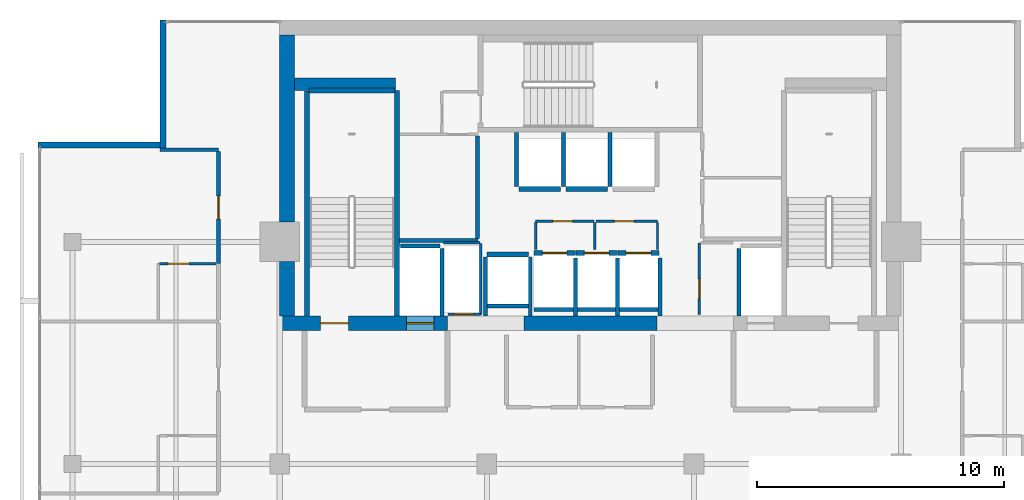
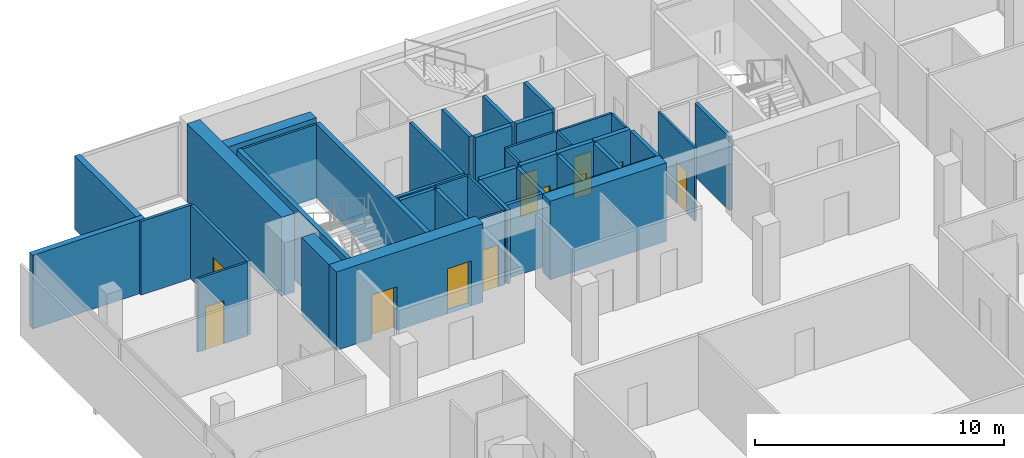
# One storey, part 22 of 26: 43 walls, 11 doors, 11 openings.
"""IFC4 building model written with IfcOpenShell, lengths in metres."""

import ifcopenshell
import ifcopenshell.guid

model = None  # the IFC model being written
_history = None  # IfcOwnerHistory: only IFC2X3 demands one
_inside = {}  # id of a spatial element -> (the spatial element, [elements in it])
_under = {}  # id of a project, library or spatial element -> (it, [spatial elements below it])
_declared = {}  # id of a project -> (the project, [libraries it declares])
_typed = {}  # id of a type object -> (the type object, [elements of that type])
_made_of = {}  # id of a material, layer set ... -> (it, [elements and type objects made of it])


def new_model(schema):
    """Start an empty IFC model of exactly this schema.

    Asked for "IFC4X3", IfcOpenShell would pick the latest addendum, in which some entities
    have other attributes; the version numbers below select the first issue.
    IFC2X3 requires an IfcOwnerHistory on every rooted entity: one is made here for all.
    """
    global model, _history
    if schema == "IFC4X3":
        model = ifcopenshell.file(schema_version=(4, 3, 0, 0))
    else:
        model = ifcopenshell.file(schema=schema)
    _inside.clear()
    _under.clear()
    _declared.clear()
    _typed.clear()
    _made_of.clear()
    _history = None
    if model.schema == "IFC2X3":
        org = make("IfcOrganization", Name="unknown")
        user = make(
            "IfcPersonAndOrganization",
            ThePerson=make("IfcPerson", FamilyName="unknown"),
            TheOrganization=org,
        )
        app = make(
            "IfcApplication",
            ApplicationDeveloper=org,
            Version="unknown",
            ApplicationFullName="unknown",
            ApplicationIdentifier="unknown",
        )
        _history = make(
            "IfcOwnerHistory",
            OwningUser=user,
            OwningApplication=app,
            ChangeAction="ADDED",
            CreationDate=0,
        )
    return model


def make(cls, **values):
    """One entity of the class cls with the attributes given. An attribute that is None is left unset."""
    return model.create_entity(
        cls, **{name: value for name, value in values.items() if value is not None}
    )


def rooted(cls, **values):
    """An entity with a GlobalId (a new one), such as an element, a storey or a relation."""
    return make(cls, GlobalId=ifcopenshell.guid.new(), OwnerHistory=_history, **values)


def si_unit(unit_type, name, prefix=None):
    """IfcSIUnit, for example si_unit("LENGTHUNIT", "METRE", prefix="MILLI")."""
    return make("IfcSIUnit", UnitType=unit_type, Prefix=prefix, Name=name)


def assignment(units):
    """IfcUnitAssignment: the units of a project."""
    return None if units is None else make("IfcUnitAssignment", Units=units)


def point(xyz):
    """IfcCartesianPoint."""
    return None if xyz is None else make("IfcCartesianPoint", Coordinates=xyz)


def direction(xyz):
    """IfcDirection."""
    return None if xyz is None else make("IfcDirection", DirectionRatios=xyz)


def frame(location, z_axis=None, x_axis=None):
    """IfcAxis2Placement3D, a coordinate frame: its origin and axes. An axis left out is left unset."""
    return make(
        "IfcAxis2Placement3D",
        Location=point(location),
        Axis=direction(z_axis),
        RefDirection=direction(x_axis),
    )


def frame_2d(location, x_axis=None):
    """IfcAxis2Placement2D, a coordinate frame in the plane: its origin and x axis."""
    return make(
        "IfcAxis2Placement2D", Location=point(location), RefDirection=direction(x_axis)
    )


def origin():
    """The frame at (0, 0, 0) with its axes left unset."""
    return frame((0.0, 0.0, 0.0))


def place(relative_to, where):
    """IfcLocalPlacement: puts the frame where relative to a parent placement (None: the world)."""
    return make(
        "IfcLocalPlacement", PlacementRelTo=relative_to, RelativePlacement=where
    )


def context(
    kind, dimensions, precision=None, world=None, true_north=None, identifier=None
):
    """IfcGeometricRepresentationContext, for example the 3D "Model" context."""
    return make(
        "IfcGeometricRepresentationContext",
        ContextIdentifier=identifier,
        ContextType=kind,
        CoordinateSpaceDimension=dimensions,
        Precision=precision,
        WorldCoordinateSystem=world,
        TrueNorth=true_north,
    )


def subcontext(parent, identifier, kind, view, scale=None):
    """IfcGeometricRepresentationSubContext, for example "Body" below "Model"."""
    return make(
        "IfcGeometricRepresentationSubContext",
        ContextIdentifier=identifier,
        ContextType=kind,
        ParentContext=parent,
        TargetScale=scale,
        TargetView=view,
    )


def project(units=None, contexts=None):
    """IfcProject with its units and contexts."""
    return rooted(
        "IfcProject",
        Name="project",
        RepresentationContexts=contexts,
        UnitsInContext=assignment(units),
    )


def spatial(cls, under=None, at=None, **own):
    """A site, building, storey or space (cls), placed at a placement, below another one or the project."""
    s = rooted(cls, ObjectPlacement=at, **own)
    if under is not None:
        _under.setdefault(under.id(), (under, []))[1].append(s)
    return s


def profile(cls, at=None, kind="AREA", **sizes):
    """A parametric profile (cls). Its sizes go by their IFC names, for example OverallWidth=200.0."""
    return make(cls, ProfileType=kind, Position=at, **sizes)


def rectangle(**sizes):
    """IfcRectangleProfileDef."""
    return profile("IfcRectangleProfileDef", **sizes)


def extrude(swept, where, along, depth):
    """IfcExtrudedAreaSolid: the profile swept, set in the frame where, extruded along a direction by depth."""
    return make(
        "IfcExtrudedAreaSolid",
        SweptArea=swept,
        Position=where,
        ExtrudedDirection=direction(along),
        Depth=depth,
    )


def shape(context_of_items, identifier, shape_type, items):
    """IfcShapeRepresentation: the items that make up one representation, for example the "Body"."""
    return make(
        "IfcShapeRepresentation",
        ContextOfItems=context_of_items,
        RepresentationIdentifier=identifier,
        RepresentationType=shape_type,
        Items=items,
    )


def material(Name=None, Category=None):
    """IfcMaterial."""
    return make("IfcMaterial", Name=Name, Category=Category)


def layer(
    of_material, thickness, ventilated=None, Name=None, Category=None, Priority=None
):
    """IfcMaterialLayer: one layer of a wall or slab, of a material (None: an air gap)."""
    return make(
        "IfcMaterialLayer",
        Material=of_material,
        LayerThickness=thickness,
        IsVentilated=ventilated,
        Name=Name,
        Category=Category,
        Priority=Priority,
    )


def layer_set(layers, Name=None):
    """IfcMaterialLayerSet."""
    return make("IfcMaterialLayerSet", MaterialLayers=layers, LayerSetName=Name)


def made_of(thing, what):
    """Note that an element or type object is made of a material, layer set ...; save() writes the relation."""
    if what is not None:
        _made_of.setdefault(what.id(), (what, []))[1].append(thing)
    return thing


def type_object(cls, material=None, **own):
    """A type object (cls), such as IfcWallType, which elements share."""
    return made_of(rooted(cls, **own), material)


def element(
    cls,
    number,
    at=None,
    inside=None,
    cuts=None,
    type_object=None,
    material=None,
    context=None,
    identifier="Body",
    shape_type=None,
    held_by="IfcProductDefinitionShape",
    body=None,
    shapes=None,
    **own,
):
    """One element of the class cls, such as IfcWall. Its Tag is "e" and its number.

    at: its placement. inside: the storey or other place that contains it. cuts: it is an
    opening in that element (IfcRelVoidsElement). A single representation is given by context,
    identifier, shape_type and body (its items); several are given by shapes. held_by: the class
    of the entity that holds the representations. save() writes the other relations.
    """
    e = rooted(cls, Tag="e%d" % number, ObjectPlacement=at, **own)
    if body is not None:
        shapes = [shape(context, identifier, shape_type, body)]
    if shapes is not None:
        e.Representation = make(held_by, Representations=shapes)
    if inside is not None:
        _inside.setdefault(inside.id(), (inside, []))[1].append(e)
    if cuts is not None:
        rooted(
            "IfcRelVoidsElement", RelatingBuildingElement=cuts, RelatedOpeningElement=e
        )
    if type_object is not None:
        _typed.setdefault(type_object.id(), (type_object, []))[1].append(e)
    return made_of(e, material)


def fill(opening, filler):
    """IfcRelFillsElement: the door or window that sits in an opening."""
    return rooted(
        "IfcRelFillsElement",
        RelatingOpeningElement=opening,
        RelatedBuildingElement=filler,
    )


def aggregate(whole, parts):
    """IfcRelAggregates: a whole, such as a stair, and the parts it consists of."""
    return rooted("IfcRelAggregates", RelatingObject=whole, RelatedObjects=parts)


def save(model, path):
    """Write the relations noted so far, then the file.

    IfcRelAggregates (storeys below a building ...), IfcRelContainedInSpatialStructure (elements
    in a storey), IfcRelDefinesByType, IfcRelAssociatesMaterial and IfcRelDeclares: one each for
    every whole, place, type object, material and project.
    """
    for whole, parts in _under.values():
        aggregate(whole, parts)
    for where, things in _inside.values():
        rooted(
            "IfcRelContainedInSpatialStructure",
            RelatedElements=things,
            RelatingStructure=where,
        )
    for kind, things in _typed.values():
        rooted("IfcRelDefinesByType", RelatedObjects=things, RelatingType=kind)
    for what, things in _made_of.values():
        rooted("IfcRelAssociatesMaterial", RelatedObjects=things, RelatingMaterial=what)
    for by, libraries in _declared.values():
        rooted("IfcRelDeclares", RelatingContext=by, RelatedDefinitions=libraries)
    model.write(path)


model = new_model("IFC4")

# Units and contexts
model_context = context("Model", 3, precision=1e-05, world=origin(), true_north=direction((0.0, 1.0)))
body_context = subcontext(model_context, "Body", "Model", "MODEL_VIEW")
ifc_project = project(units=[si_unit("LENGTHUNIT", "METRE"), si_unit("AREAUNIT", "SQUARE_METRE"), si_unit("VOLUMEUNIT", "CUBIC_METRE"), si_unit("PLANEANGLEUNIT", "RADIAN"), si_unit("MASSUNIT", "GRAM", prefix="KILO")], contexts=[model_context])

# Site, building, storey
site_placement = place(None, origin())
site = spatial("IfcSite", under=ifc_project, at=site_placement, CompositionType="ELEMENT")
building_placement = place(site_placement, origin())
building = spatial("IfcBuilding", under=site, at=building_placement, Name="Maruvema Waterfront Hotel and Observation Tower", CompositionType="ELEMENT")
storey_placement = place(building_placement, frame((0.0, 0.0, 243.25)))
storey = spatial("IfcBuildingStorey", under=building, at=storey_placement, Name="L59", CompositionType="ELEMENT", Elevation=243.25)

# Walls
ifc_material_1 = material(Name="Twin-stud acoustic gypsum drywall", Category="gypsum")
ifc_layer_1 = layer(ifc_material_1, 0.14990234375, Name="Acoustic Corridor and Suite Demising Wall 150 mm")
ifc_layer_set_1 = layer_set([ifc_layer_1], Name="Twin-stud acoustic gypsum drywall")
wall_type_1 = type_object("IfcWallType", Name="Acoustic Corridor and Suite Demising Wall 150 mm", PredefinedType="PARTITIONING", material=ifc_layer_set_1)
wall_1_placement = place(storey_placement, frame((30.06005859375, 45.06005859375, 0.0), z_axis=(0.0, 0.0, 1.0), x_axis=(1.0, 0.0, 0.0)))
element("IfcWall", 1, at=wall_1_placement, inside=storey, type_object=wall_type_1, Name="L59 Freed B1 South Wall 017", PredefinedType="PARTITIONING", context=body_context, shape_type="SweptSolid", body=[
    extrude(rectangle(XDim=3.179931640625, YDim=0.14990234375, at=frame_2d((1.58984375, 0.0))), origin(), (0.0, 0.0, 1.0), 3.610107421875),
])
wall_2_placement = place(storey_placement, frame((33.219970703125, 45.139892578125, 0.0), z_axis=(0.0, 0.0, 1.0), x_axis=(0.0, 1.0, 0.0)))
element("IfcWall", 2, at=wall_2_placement, inside=storey, type_object=wall_type_1, Name="L59 Freed B1 East Wall 018", PredefinedType="PARTITIONING", context=body_context, shape_type="SweptSolid", body=[
    extrude(rectangle(XDim=4.16015625, YDim=0.14990234375, at=frame_2d((2.080078125, 0.0))), origin(), (0.0, 0.0, 1.0), 3.610107421875),
])

# Wall, opening, door
wall_3_placement = place(storey_placement, frame((22.719970703125, 44.11865234375, 0.0), z_axis=(0.0, 0.0, 1.0), x_axis=(0.0, 1.0, 0.0)))
wall_3 = element("IfcWall", 3, at=wall_3_placement, inside=storey, type_object=wall_type_1, Name="L59 Room L59-NW2 Corridor Wall 105", PredefinedType="PARTITIONING", context=body_context, shape_type="SweptSolid", body=[
    extrude(rectangle(XDim=4.558837890625, YDim=0.14990234375, at=frame_2d((2.279296875, 0.0))), origin(), (0.0, 0.0, 1.0), 3.610107421875),
])
opening_1_placement = place(wall_3_placement, frame((1.804443359375, 0.0, 0.0)))
opening_1 = element("IfcOpeningElement", 4, at=opening_1_placement, cuts=wall_3, Name="Opening DR-095", PredefinedType="OPENING", context=body_context, shape_type="SweptSolid", body=[
    extrude(rectangle(XDim=0.949951171875, YDim=2.14990234375, at=frame_2d((0.47509765625, 1.074951171875))), frame((0.0, 0.0849609375, 0.0), z_axis=(0.0, -1.0, 0.0), x_axis=(1.0, 0.0, 0.0)), (0.0, 0.0, 1.0), 0.169921875),
])
ifc_material_2 = material(Name="Acoustic solid-core hardwood timber leaf", Category="wood")
door_type_1 = type_object("IfcDoorType", Name="Guestroom Entrance Fire Door 950x2150 mm", OperationType="NOTDEFINED", PredefinedType="DOOR", material=ifc_material_2)
door_1_placement = place(opening_1_placement, origin())
door_1 = element("IfcDoor", 5, at=door_1_placement, inside=storey, type_object=door_type_1, Name="L59 Room L59-NW2 Entrance Door", OperationType="SINGLE_SWING_LEFT", OverallHeight=2.14990234375, OverallWidth=0.949951171875, PredefinedType="DOOR", context=body_context, shape_type="SweptSolid", body=[
    extrude(rectangle(XDim=0.949951171875, YDim=2.14990234375, at=frame_2d((0.47509765625, 1.074951171875))), frame((0.0, 0.02490234375, 0.0), z_axis=(0.0, -1.0, 0.0), x_axis=(1.0, 0.0, 0.0)), (0.0, 0.0, 1.0), 0.050048828125),
])
fill(opening_1, door_1)

# Walls
ifc_material_3 = material(Name="Precast concrete C45/55", Category="concrete")
ifc_layer_2 = layer(ifc_material_3, 0.199951171875, Name="Core Shaft and Stairwell Enclosure Wall 200 mm")
ifc_layer_set_2 = layer_set([ifc_layer_2], Name="Precast concrete C45/55")
wall_type_2 = type_object("IfcWallType", Name="Core Shaft and Stairwell Enclosure Wall 200 mm", PredefinedType="SOLIDWALL", material=ifc_layer_set_2)
wall_4_placement = place(storey_placement, frame((29.949951171875, 42.0, 0.0), z_axis=(0.0, 0.0, 1.0), x_axis=(0.0, 1.0, 0.0)))
element("IfcWall", 6, at=wall_4_placement, inside=storey, type_object=wall_type_2, Name="L59 Stairwell ST-01 East Shaft Wall", PredefinedType="SOLIDWALL", context=body_context, shape_type="SweptSolid", body=[
    extrude(rectangle(XDim=9.14990234375, YDim=0.199951171875, at=frame_2d((4.574951171875, 0.0))), origin(), (0.0, 0.0, 1.0), 3.610107421875),
])
wall_5_placement = place(storey_placement, frame((26.300048828125, 42.0, 0.0), z_axis=(0.0, 0.0, 1.0), x_axis=(0.0, 1.0, 0.0)))
element("IfcWall", 7, at=wall_5_placement, inside=storey, type_object=wall_type_2, Name="L59 Stairwell ST-01 Shaft Lining Wall", PredefinedType="SOLIDWALL", context=body_context, shape_type="SweptSolid", body=[
    extrude(rectangle(XDim=9.1201171875, YDim=0.199951171875, at=frame_2d((4.56005859375, 0.0))), origin(), (0.0, 0.0, 1.0), 3.610107421875),
])
wall_6_placement = place(storey_placement, frame((26.3798828125, 51.14990234375, 0.0), z_axis=(0.0, 0.0, 1.0), x_axis=(1.0, 0.0, 0.0)))
element("IfcWall", 8, at=wall_6_placement, inside=storey, type_object=wall_type_2, Name="L59 Stairwell ST-01 Shaft Lining Wall", PredefinedType="SOLIDWALL", context=body_context, shape_type="SweptSolid", body=[
    extrude(rectangle(XDim=3.5, YDim=0.199951171875, at=frame_2d((1.75, 0.0))), origin(), (0.0, 0.0, 1.0), 3.610107421875),
])

# Wall, opening, door
wall_7_placement = place(storey_placement, frame((35.510009765625, 44.550048828125, 0.0), z_axis=(0.0, 0.0, 1.0), x_axis=(1.0, 0.0, 0.0)))
wall_7 = element("IfcWall", 9, at=wall_7_placement, inside=storey, type_object=wall_type_2, Name="L59 Lift LF-09 Hoistway Front Wall", PredefinedType="SOLIDWALL", context=body_context, shape_type="SweptSolid", body=[
    extrude(rectangle(XDim=1.679931640625, YDim=0.199951171875, at=frame_2d((0.83984375, 0.0))), origin(), (0.0, 0.0, 1.0), 3.610107421875),
])
opening_2_placement = place(wall_7_placement, frame((0.340087890625, 0.0, 0.0)))
opening_2 = element("IfcOpeningElement", 10, at=opening_2_placement, cuts=wall_7, Name="Opening LD-01", PredefinedType="OPENING", context=body_context, shape_type="SweptSolid", body=[
    extrude(rectangle(XDim=1.0, YDim=2.14990234375, at=frame_2d((0.5, 1.074951171875))), frame((0.0, 0.10986328125, 0.0), z_axis=(0.0, -1.0, 0.0), x_axis=(1.0, 0.0, 0.0)), (0.0, 0.0, 1.0), 0.219970703125),
])
ifc_material_4 = material(Name="Brushed stainless steel Grade 316", Category="steel")
door_type_2 = type_object("IfcDoorType", Name="Passenger Lift Sliding Landing Door 1000x2150 mm", OperationType="SLIDING_TO_LEFT", PredefinedType="DOOR", material=ifc_material_4)
door_2_placement = place(opening_2_placement, origin())
door_2 = element("IfcDoor", 11, at=door_2_placement, inside=storey, type_object=door_type_2, Name="L59 Lift LF-09 Sliding Landing Door", OperationType="SLIDING_TO_LEFT", OverallHeight=2.14990234375, OverallWidth=1.0, PredefinedType="DOOR", context=body_context, shape_type="SweptSolid", body=[
    extrude(rectangle(XDim=1.0, YDim=2.14990234375, at=frame_2d((0.5, 1.074951171875))), frame((0.0, 0.02490234375, 0.0), z_axis=(0.0, -1.0, 0.0), x_axis=(1.0, 0.0, 0.0)), (0.0, 0.0, 1.0), 0.050048828125),
])
fill(opening_2, door_2)

wall_8_placement = place(storey_placement, frame((37.2099609375, 44.550048828125, 0.0), z_axis=(0.0, 0.0, 1.0), x_axis=(1.0, 0.0, 0.0)))
wall_8 = element("IfcWall", 12, at=wall_8_placement, inside=storey, type_object=wall_type_2, Name="L59 Lift LF-10 Hoistway Front Wall", PredefinedType="SOLIDWALL", context=body_context, shape_type="SweptSolid", body=[
    extrude(rectangle(XDim=1.679931640625, YDim=0.199951171875, at=frame_2d((0.83984375, 0.0))), origin(), (0.0, 0.0, 1.0), 3.610107421875),
])
opening_3_placement = place(wall_8_placement, frame((0.340087890625, 0.0, 0.0)))
opening_3 = element("IfcOpeningElement", 13, at=opening_3_placement, cuts=wall_8, Name="Opening LD-01", PredefinedType="OPENING", context=body_context, shape_type="SweptSolid", body=[
    extrude(rectangle(XDim=1.0, YDim=2.14990234375, at=frame_2d((0.5, 1.074951171875))), frame((0.0, 0.10986328125, 0.0), z_axis=(0.0, -1.0, 0.0), x_axis=(1.0, 0.0, 0.0)), (0.0, 0.0, 1.0), 0.219970703125),
])
door_3_placement = place(opening_3_placement, origin())
door_3 = element("IfcDoor", 14, at=door_3_placement, inside=storey, type_object=door_type_2, Name="L59 Lift LF-10 Sliding Landing Door", OperationType="SLIDING_TO_LEFT", OverallHeight=2.14990234375, OverallWidth=1.0, PredefinedType="DOOR", context=body_context, shape_type="SweptSolid", body=[
    extrude(rectangle(XDim=1.0, YDim=2.14990234375, at=frame_2d((0.5, 1.074951171875))), frame((0.0, 0.02490234375, 0.0), z_axis=(0.0, -1.0, 0.0), x_axis=(1.0, 0.0, 0.0)), (0.0, 0.0, 1.0), 0.050048828125),
])
fill(opening_3, door_3)

wall_9_placement = place(storey_placement, frame((38.909912109375, 44.550048828125, 0.0), z_axis=(0.0, 0.0, 1.0), x_axis=(1.0, 0.0, 0.0)))
wall_9 = element("IfcWall", 15, at=wall_9_placement, inside=storey, type_object=wall_type_2, Name="L59 Lift LF-11 Hoistway Front Wall", PredefinedType="SOLIDWALL", context=body_context, shape_type="SweptSolid", body=[
    extrude(rectangle(XDim=1.68017578125, YDim=0.199951171875, at=frame_2d((0.840087890625, 0.0))), origin(), (0.0, 0.0, 1.0), 3.610107421875),
])
opening_4_placement = place(wall_9_placement, frame((0.340087890625, 0.0, 0.0)))
opening_4 = element("IfcOpeningElement", 16, at=opening_4_placement, cuts=wall_9, Name="Opening LD-01", PredefinedType="OPENING", context=body_context, shape_type="SweptSolid", body=[
    extrude(rectangle(XDim=1.0, YDim=2.14990234375, at=frame_2d((0.5, 1.074951171875))), frame((0.0, 0.10986328125, 0.0), z_axis=(0.0, -1.0, 0.0), x_axis=(1.0, 0.0, 0.0)), (0.0, 0.0, 1.0), 0.219970703125),
])
door_4_placement = place(opening_4_placement, origin())
door_4 = element("IfcDoor", 17, at=door_4_placement, inside=storey, type_object=door_type_2, Name="L59 Lift LF-11 Sliding Landing Door", OperationType="SLIDING_TO_LEFT", OverallHeight=2.14990234375, OverallWidth=1.0, PredefinedType="DOOR", context=body_context, shape_type="SweptSolid", body=[
    extrude(rectangle(XDim=1.0, YDim=2.14990234375, at=frame_2d((0.5, 1.074951171875))), frame((0.0, 0.02490234375, 0.0), z_axis=(0.0, -1.0, 0.0), x_axis=(1.0, 0.0, 0.0)), (0.0, 0.0, 1.0), 0.050048828125),
])
fill(opening_4, door_4)

# Walls
wall_10_placement = place(storey_placement, frame((34.909912109375, 47.14990234375, 0.0), z_axis=(0.0, 0.0, 1.0), x_axis=(1.0, 0.0, 0.0)))
element("IfcWall", 18, at=wall_10_placement, inside=storey, type_object=wall_type_2, Name="L59 Lift LF-12 Hoistway Front Wall", PredefinedType="SOLIDWALL", context=body_context, shape_type="SweptSolid", body=[
    extrude(rectangle(XDim=1.68017578125, YDim=0.199951171875, at=frame_2d((0.840087890625, 0.0))), origin(), (0.0, 0.0, 1.0), 3.610107421875),
])
for number, where, z_axis, x_axis, name in (
    (19, (36.81005859375, 47.14990234375, 0.0), (0.0, 0.0, 1.0), (1.0, 0.0, 0.0), "L59 Lift LF-13 Hoistway Front Wall"),
    (20, (33.610107421875, 44.5, 0.0), (0.0, 0.0, 1.0), (1.0, 0.0, 0.0), "L59 Lift LF-15 Hoistway Front Wall"),
):
    element("IfcWall", number, at=place(storey_placement, frame(where, z_axis=z_axis, x_axis=x_axis)), inside=storey, type_object=wall_type_2, Name=name, PredefinedType="SOLIDWALL", context=body_context, shape_type="SweptSolid", body=[
        extrude(rectangle(XDim=1.679931640625, YDim=0.199951171875, at=frame_2d((0.83984375, 0.0))), origin(), (0.0, 0.0, 1.0), 3.610107421875),
    ])
ifc_material_5 = material(Name="Concrete C70/85", Category="concrete")
ifc_layer_3 = layer(ifc_material_5, 0.5, Name="Core Shear Wall 500 mm")
ifc_layer_set_3 = layer_set([ifc_layer_3], Name="Concrete C70/85")
wall_type_3 = type_object("IfcWallType", Name="Core Shear Wall 500 mm", PredefinedType="SHEAR", material=ifc_layer_set_3)
wall_11_placement = place(storey_placement, frame((25.800048828125, 51.39990234375, 0.0), z_axis=(0.0, 0.0, 1.0), x_axis=(1.0, 0.0, 0.0)))
element("IfcWall", 21, at=wall_11_placement, inside=storey, type_object=wall_type_3, Name="L59 Internal Core Shear Wall NW 500 mm", PredefinedType="SHEAR", context=body_context, shape_type="SweptSolid", body=[
    extrude(rectangle(XDim=4.099853515625, YDim=0.5, at=frame_2d((2.0498046875, 0.0))), origin(), (0.0, 0.0, 1.0), 3.85009765625),
])

# Wall, openings, doors
ifc_material_6 = material(Name="Concrete C60/75", Category="concrete")
ifc_layer_4 = layer(ifc_material_6, 0.60009765625, Name="Core Shear Wall 600 mm")
ifc_layer_set_4 = layer_set([ifc_layer_4], Name="Concrete C60/75")
wall_type_4 = type_object("IfcWallType", Name="Core Shear Wall 600 mm", PredefinedType="SHEAR", material=ifc_layer_set_4)
wall_12_placement = place(storey_placement, frame((25.199951171875, 41.699951171875, 0.0), z_axis=(0.0, 0.0, 1.0), x_axis=(1.0, 0.0, 0.0)))
wall_12 = element("IfcWall", 22, at=wall_12_placement, inside=storey, type_object=wall_type_4, Name="L59 South-West Core Shear Wall", PredefinedType="SHEAR", context=body_context, shape_type="SweptSolid", body=[
    extrude(rectangle(XDim=6.800048828125, YDim=0.60009765625, at=frame_2d((3.39990234375, 0.0))), origin(), (0.0, 0.0, 1.0), 3.85009765625),
])
opening_5_placement = place(wall_12_placement, frame((1.64990234375, 0.0, 0.0)))
opening_5 = element("IfcOpeningElement", 23, at=opening_5_placement, cuts=wall_12, Name="Opening SD-01", PredefinedType="OPENING", context=body_context, shape_type="SweptSolid", body=[
    extrude(rectangle(XDim=1.14990234375, YDim=2.14990234375, at=frame_2d((0.574951171875, 1.074951171875))), frame((0.0, 0.31005859375, 0.0), z_axis=(0.0, -1.0, 0.0), x_axis=(1.0, 0.0, 0.0)), (0.0, 0.0, 1.0), 0.6201171875),
])
opening_6_placement = place(wall_12_placement, frame((5.14990234375, 0.0, 0.0)))
opening_6 = element("IfcOpeningElement", 24, at=opening_6_placement, cuts=wall_12, Name="Opening LD-03", PredefinedType="OPENING", context=body_context, shape_type="SweptSolid", body=[
    extrude(rectangle(XDim=1.10009765625, YDim=2.199951171875, at=frame_2d((0.550048828125, 1.10009765625))), frame((0.0, 0.31005859375, 0.0), z_axis=(0.0, -1.0, 0.0), x_axis=(1.0, 0.0, 0.0)), (0.0, 0.0, 1.0), 0.6201171875),
])
ifc_material_7 = material(Name="Fire-rated galvanised steel leaf", Category="steel")
door_type_3 = type_object("IfcDoorType", Name="Exit Stair Fire Door 1150x2150 mm", OperationType="NOTDEFINED", PredefinedType="DOOR", material=ifc_material_7)
door_5_placement = place(opening_5_placement, origin())
door_5 = element("IfcDoor", 25, at=door_5_placement, inside=storey, type_object=door_type_3, Name="L59 Exit Stair ST-01 Fire Door", OperationType="SINGLE_SWING_LEFT", OverallHeight=2.14990234375, OverallWidth=1.14990234375, PredefinedType="DOOR", context=body_context, shape_type="SweptSolid", body=[
    extrude(rectangle(XDim=1.14990234375, YDim=2.14990234375, at=frame_2d((0.574951171875, 1.074951171875))), frame((0.0, 0.02490234375, 0.0), z_axis=(0.0, -1.0, 0.0), x_axis=(1.0, 0.0, 0.0)), (0.0, 0.0, 1.0), 0.050048828125),
])
fill(opening_5, door_5)
ifc_material_8 = material(Name="Brushed stainless steel Grade 316", Category="steel")
door_type_4 = type_object("IfcDoorType", Name="Firefighting Lift Sliding Landing Door 1100x2200 mm", OperationType="SLIDING_TO_LEFT", PredefinedType="DOOR", material=ifc_material_8)
door_6_placement = place(opening_6_placement, frame((1.10009765625, 0.0, 0.0), z_axis=(0.0, 0.0, 1.0), x_axis=(-1.0, 0.0, 0.0)))
door_6 = element("IfcDoor", 26, at=door_6_placement, inside=storey, type_object=door_type_4, Name="L59 Firefighting Lift FL-01 Landing Door", OperationType="SLIDING_TO_LEFT", OverallHeight=2.199951171875, OverallWidth=1.10009765625, PredefinedType="DOOR", context=body_context, shape_type="SweptSolid", body=[
    extrude(rectangle(XDim=1.10009765625, YDim=2.199951171875, at=frame_2d((0.550048828125, 1.10009765625))), frame((0.0, 0.02490234375, 0.0), z_axis=(0.0, -1.0, 0.0), x_axis=(1.0, 0.0, 0.0)), (0.0, 0.0, 1.0), 0.050048828125),
])
fill(opening_6, door_6)

# Walls
wall_13_placement = place(storey_placement, frame((35.10009765625, 41.699951171875, 0.0), z_axis=(0.0, 0.0, 1.0), x_axis=(1.0, 0.0, 0.0)))
element("IfcWall", 27, at=wall_13_placement, inside=storey, type_object=wall_type_4, Name="L59 South-Central Core Shear Wall", PredefinedType="SHEAR", context=body_context, shape_type="SweptSolid", body=[
    extrude(rectangle(XDim=5.39990234375, YDim=0.60009765625, at=frame_2d((2.699951171875, 0.0))), origin(), (0.0, 0.0, 1.0), 3.85009765625),
])
wall_14_placement = place(storey_placement, frame((25.5, 42.0, 0.0), z_axis=(0.0, 0.0, 1.0), x_axis=(0.0, 1.0, 0.0)))
element("IfcWall", 28, at=wall_14_placement, inside=storey, type_object=wall_type_4, Name="L59 West-South Core Shear Wall", PredefinedType="SHEAR", context=body_context, shape_type="SweptSolid", body=[
    extrude(rectangle(XDim=2.199951171875, YDim=0.60009765625, at=frame_2d((1.10009765625, 0.0))), origin(), (0.0, 0.0, 1.0), 3.85009765625),
])
wall_15_placement = place(storey_placement, frame((25.5, 45.800048828125, 0.0), z_axis=(0.0, 0.0, 1.0), x_axis=(0.0, 1.0, 0.0)))
element("IfcWall", 29, at=wall_15_placement, inside=storey, type_object=wall_type_4, Name="L59 West-North Core Shear Wall", PredefinedType="SHEAR", context=body_context, shape_type="SweptSolid", body=[
    extrude(rectangle(XDim=7.599853515625, YDim=0.60009765625, at=frame_2d((3.7998046875, 0.0))), origin(), (0.0, 0.0, 1.0), 3.85009765625),
])

# Wall, opening, door
ifc_material_9 = material(Name="Moisture-resistant cement-board drywall", Category="gypsum")
ifc_layer_5 = layer(ifc_material_9, 0.10009765625, Name="En-Suite Moisture-Resistant Partition 100 mm")
ifc_layer_set_5 = layer_set([ifc_layer_5], Name="Moisture-resistant cement-board drywall")
wall_type_5 = type_object("IfcWallType", Name="En-Suite Moisture-Resistant Partition 100 mm", PredefinedType="PARTITIONING", material=ifc_layer_set_5)
wall_16_placement = place(storey_placement, frame((32.02001953125, 42.06005859375, 0.0), z_axis=(0.0, 0.0, 1.0), x_axis=(1.0, 0.0, 0.0)))
wall_16 = element("IfcWall", 30, at=wall_16_placement, inside=storey, type_object=wall_type_5, Name="L59 Telecom Riser South Wall 007", PredefinedType="PARTITIONING", context=body_context, shape_type="SweptSolid", body=[
    extrude(rectangle(XDim=1.320068359375, YDim=0.10009765625, at=frame_2d((0.66015625, 0.0))), origin(), (0.0, 0.0, 1.0), 3.610107421875),
])
opening_7_placement = place(wall_16_placement, frame((0.239990234375, 0.0, 0.0)))
opening_7 = element("IfcOpeningElement", 31, at=opening_7_placement, cuts=wall_16, Name="Opening DR-080", PredefinedType="OPENING", context=body_context, shape_type="SweptSolid", body=[
    extrude(rectangle(XDim=0.800048828125, YDim=2.050048828125, at=frame_2d((0.39990234375, 1.02490234375))), frame((0.0, 0.06005859375, 0.0), z_axis=(0.0, -1.0, 0.0), x_axis=(1.0, 0.0, 0.0)), (0.0, 0.0, 1.0), 0.1201171875),
])
ifc_material_10 = material(Name="Powder-coated steel access leaf", Category="steel")
door_type_5 = type_object("IfcDoorType", Name="Riser and Service Cupboard Door 800x2050 mm", OperationType="NOTDEFINED", PredefinedType="DOOR", material=ifc_material_10)
door_7_placement = place(opening_7_placement, frame((0.800048828125, 0.0, 0.0), z_axis=(0.0, 0.0, 1.0), x_axis=(-1.0, 0.0, 0.0)))
door_7 = element("IfcDoor", 32, at=door_7_placement, inside=storey, type_object=door_type_5, Name="L59 Telecom Riser Door", OperationType="SINGLE_SWING_RIGHT", OverallHeight=2.050048828125, OverallWidth=0.800048828125, PredefinedType="DOOR", context=body_context, shape_type="SweptSolid", body=[
    extrude(rectangle(XDim=0.800048828125, YDim=2.050048828125, at=frame_2d((0.39990234375, 1.02490234375))), frame((0.0, 0.02490234375, 0.0), z_axis=(0.0, -1.0, 0.0), x_axis=(1.0, 0.0, 0.0)), (0.0, 0.0, 1.0), 0.050048828125),
])
fill(opening_7, door_7)

# Walls
wall_17_placement = place(storey_placement, frame((31.840087890625, 44.9599609375, 0.0), z_axis=(0.0, 0.0, 1.0), x_axis=(1.0, 0.0, 0.0)))
element("IfcWall", 33, at=wall_17_placement, inside=storey, type_object=wall_type_5, Name="L59 Telecom Riser North Wall 008", PredefinedType="PARTITIONING", context=body_context, shape_type="SweptSolid", body=[
    extrude(rectangle(XDim=1.47998046875, YDim=0.10009765625, at=frame_2d((0.739990234375, 0.0))), origin(), (0.0, 0.0, 1.0), 3.610107421875),
])
wall_18_placement = place(storey_placement, frame((33.360107421875, 42.06005859375, 0.0), z_axis=(0.0, 0.0, 1.0), x_axis=(0.0, 1.0, 0.0)))
element("IfcWall", 34, at=wall_18_placement, inside=storey, type_object=wall_type_5, Name="L59 Telecom Riser East Wall 009", PredefinedType="PARTITIONING", context=body_context, shape_type="SweptSolid", body=[
    extrude(rectangle(XDim=2.8798828125, YDim=0.10009765625, at=frame_2d((1.43994140625, 0.0))), origin(), (0.0, 0.0, 1.0), 3.610107421875),
])

# Wall, opening, door
wall_19_placement = place(storey_placement, frame((35.580078125, 45.840087890625, 0.0), z_axis=(0.0, 0.0, 1.0), x_axis=(1.0, 0.0, 0.0)))
wall_19 = element("IfcWall", 35, at=wall_19_placement, inside=storey, type_object=wall_type_5, Name="L59 Core Closet K2A North 010", PredefinedType="PARTITIONING", context=body_context, shape_type="SweptSolid", body=[
    extrude(rectangle(XDim=2.35986328125, YDim=0.10009765625, at=frame_2d((1.179931640625, 0.0))), origin(), (0.0, 0.0, 1.0), 3.610107421875),
])
opening_8_placement = place(wall_19_placement, frame((0.699951171875, 0.0, 0.0)))
opening_8 = element("IfcOpeningElement", 36, at=opening_8_placement, cuts=wall_19, Name="Opening DR-080", PredefinedType="OPENING", context=body_context, shape_type="SweptSolid", body=[
    extrude(rectangle(XDim=0.800048828125, YDim=2.050048828125, at=frame_2d((0.39990234375, 1.02490234375))), frame((0.0, 0.06005859375, 0.0), z_axis=(0.0, -1.0, 0.0), x_axis=(1.0, 0.0, 0.0)), (0.0, 0.0, 1.0), 0.1201171875),
])
door_8_placement = place(opening_8_placement, origin())
door_8 = element("IfcDoor", 37, at=door_8_placement, inside=storey, type_object=door_type_5, Name="L59 Core IT Closet Door", OperationType="SINGLE_SWING_LEFT", OverallHeight=2.050048828125, OverallWidth=0.800048828125, PredefinedType="DOOR", context=body_context, shape_type="SweptSolid", body=[
    extrude(rectangle(XDim=0.800048828125, YDim=2.050048828125, at=frame_2d((0.39990234375, 1.02490234375))), frame((0.0, 0.02490234375, 0.0), z_axis=(0.0, -1.0, 0.0), x_axis=(1.0, 0.0, 0.0)), (0.0, 0.0, 1.0), 0.050048828125),
])
fill(opening_8, door_8)

wall_20_placement = place(storey_placement, frame((38.02001953125, 45.840087890625, 0.0), z_axis=(0.0, 0.0, 1.0), x_axis=(1.0, 0.0, 0.0)))
wall_20 = element("IfcWall", 38, at=wall_20_placement, inside=storey, type_object=wall_type_5, Name="L59 Core Closet K2B North 011", PredefinedType="PARTITIONING", context=body_context, shape_type="SweptSolid", body=[
    extrude(rectangle(XDim=2.5, YDim=0.10009765625, at=frame_2d((1.25, 0.0))), origin(), (0.0, 0.0, 1.0), 3.610107421875),
])
opening_9_placement = place(wall_20_placement, frame((0.75, 0.0, 0.0)))
opening_9 = element("IfcOpeningElement", 39, at=opening_9_placement, cuts=wall_20, Name="Opening DR-080", PredefinedType="OPENING", context=body_context, shape_type="SweptSolid", body=[
    extrude(rectangle(XDim=0.800048828125, YDim=2.050048828125, at=frame_2d((0.39990234375, 1.02490234375))), frame((0.0, 0.06005859375, 0.0), z_axis=(0.0, -1.0, 0.0), x_axis=(1.0, 0.0, 0.0)), (0.0, 0.0, 1.0), 0.1201171875),
])
door_9_placement = place(opening_9_placement, origin())
door_9 = element("IfcDoor", 40, at=door_9_placement, inside=storey, type_object=door_type_5, Name="L59 Core Linen Cupboard Door", OperationType="SINGLE_SWING_RIGHT", OverallHeight=2.050048828125, OverallWidth=0.800048828125, PredefinedType="DOOR", context=body_context, shape_type="SweptSolid", body=[
    extrude(rectangle(XDim=0.800048828125, YDim=2.050048828125, at=frame_2d((0.39990234375, 1.02490234375))), frame((0.0, 0.02490234375, 0.0), z_axis=(0.0, -1.0, 0.0), x_axis=(1.0, 0.0, 0.0)), (0.0, 0.0, 1.0), 0.050048828125),
])
fill(opening_9, door_9)

# Walls
for number, where, z_axis, x_axis, name in (
    (41, (35.580078125, 44.699951171875, 0.0), (0.0, 0.0, 1.0), (0.0, 1.0, 0.0), "L59 Core Closet K2 West 012"),
    (42, (37.97998046875, 44.699951171875, 0.0), (0.0, 0.0, 1.0), (0.0, 1.0, 0.0), "L59 Core Closet K2 Mid 013"),
    (43, (40.52001953125, 44.699951171875, 0.0), (0.0, 0.0, 1.0), (0.0, 1.0, 0.0), "L59 Core Closet K2 East 014"),
):
    element("IfcWall", number, at=place(storey_placement, frame(where, z_axis=z_axis, x_axis=x_axis)), inside=storey, type_object=wall_type_5, Name=name, PredefinedType="PARTITIONING", context=body_context, shape_type="SweptSolid", body=[
        extrude(rectangle(XDim=1.080078125, YDim=0.10009765625, at=frame_2d((0.5400390625, 0.0))), origin(), (0.0, 0.0, 1.0), 3.610107421875),
    ])

# Wall, opening, door
wall_21_placement = place(storey_placement, frame((42.219970703125, 42.050048828125, 0.0), z_axis=(0.0, 0.0, 1.0), x_axis=(0.0, 1.0, 0.0)))
wall_21 = element("IfcWall", 44, at=wall_21_placement, inside=storey, type_object=wall_type_5, Name="L59 Core Closet K2C West 015", PredefinedType="PARTITIONING", context=body_context, shape_type="SweptSolid", body=[
    extrude(rectangle(XDim=2.909912109375, YDim=0.10009765625, at=frame_2d((1.455078125, 0.0))), origin(), (0.0, 0.0, 1.0), 3.610107421875),
])
opening_10_placement = place(wall_21_placement, frame((0.64990234375, 0.0, 0.0)))
opening_10 = element("IfcOpeningElement", 45, at=opening_10_placement, cuts=wall_21, Name="Opening DR-080", PredefinedType="OPENING", context=body_context, shape_type="SweptSolid", body=[
    extrude(rectangle(XDim=0.800048828125, YDim=2.050048828125, at=frame_2d((0.39990234375, 1.02490234375))), frame((0.0, 0.06005859375, 0.0), z_axis=(0.0, -1.0, 0.0), x_axis=(1.0, 0.0, 0.0)), (0.0, 0.0, 1.0), 0.1201171875),
])
door_10_placement = place(opening_10_placement, frame((0.800048828125, 0.0, 0.0), z_axis=(0.0, 0.0, 1.0), x_axis=(-1.0, 0.0, 0.0)))
door_10 = element("IfcDoor", 46, at=door_10_placement, inside=storey, type_object=door_type_5, Name="L59 Core Housekeeping Closet Door", OperationType="SINGLE_SWING_LEFT", OverallHeight=2.050048828125, OverallWidth=0.800048828125, PredefinedType="DOOR", context=body_context, shape_type="SweptSolid", body=[
    extrude(rectangle(XDim=0.800048828125, YDim=2.050048828125, at=frame_2d((0.39990234375, 1.02490234375))), frame((0.0, 0.02490234375, 0.0), z_axis=(0.0, -1.0, 0.0), x_axis=(1.0, 0.0, 0.0)), (0.0, 0.0, 1.0), 0.050048828125),
])
fill(opening_10, door_10)

wall_22_placement = place(storey_placement, frame((20.320068359375, 44.11865234375, 0.0), z_axis=(0.0, 0.0, 1.0), x_axis=(1.0, 0.0, 0.0)))
wall_22 = element("IfcWall", 47, at=wall_22_placement, inside=storey, type_object=wall_type_5, Name="L59 En-Suite L59-NW2 N 107", PredefinedType="PARTITIONING", context=body_context, shape_type="SweptSolid", body=[
    extrude(rectangle(XDim=2.300048828125, YDim=0.10009765625, at=frame_2d((1.14990234375, 0.0))), origin(), (0.0, 0.0, 1.0), 3.610107421875),
])
opening_11_placement = place(wall_22_placement, frame((0.35009765625, 0.0, 0.0)))
opening_11 = element("IfcOpeningElement", 48, at=opening_11_placement, cuts=wall_22, Name="Opening DR-085", PredefinedType="OPENING", context=body_context, shape_type="SweptSolid", body=[
    extrude(rectangle(XDim=0.85009765625, YDim=2.10009765625, at=frame_2d((0.425048828125, 1.050048828125))), frame((0.0, 0.06005859375, 0.0), z_axis=(0.0, -1.0, 0.0), x_axis=(1.0, 0.0, 0.0)), (0.0, 0.0, 1.0), 0.1201171875),
])
ifc_material_11 = material(Name="Moisture-resistant solid timber leaf", Category="wood")
door_type_6 = type_object("IfcDoorType", Name="En-Suite Bathroom Door 850x2100 mm", OperationType="NOTDEFINED", PredefinedType="DOOR", material=ifc_material_11)
door_11_placement = place(opening_11_placement, origin())
door_11 = element("IfcDoor", 49, at=door_11_placement, inside=storey, type_object=door_type_6, Name="L59 En-Suite L59-NW2 Door", OperationType="SINGLE_SWING_RIGHT", OverallHeight=2.10009765625, OverallWidth=0.85009765625, PredefinedType="DOOR", context=body_context, shape_type="SweptSolid", body=[
    extrude(rectangle(XDim=0.85009765625, YDim=2.10009765625, at=frame_2d((0.425048828125, 1.050048828125))), frame((0.0, 0.02490234375, 0.0), z_axis=(0.0, -1.0, 0.0), x_axis=(1.0, 0.0, 0.0)), (0.0, 0.0, 1.0), 0.050048828125),
])
fill(opening_11, door_11)

# Walls
ifc_material_12 = material(Name="Precast concrete C45/55 with honed Pernambuco granite facing", Category="masonry")
ifc_layer_6 = layer(ifc_material_12, 0.260009765625, Name="Exterior Granite Clad Spandrel and Pier Wall 260 mm")
ifc_layer_set_6 = layer_set([ifc_layer_6], Name="Precast concrete C45/55 with honed Pernambuco granite facing")
wall_type_6 = type_object("IfcWallType", Name="Exterior Granite Clad Spandrel and Pier Wall 260 mm", PredefinedType="SOLIDWALL", material=ifc_layer_set_6)
wall_23_placement = place(storey_placement, frame((20.469970703125, 48.800048828125, 0.0), z_axis=(0.0, 0.0, 1.0), x_axis=(0.0, 1.0, 0.0)))
element("IfcWall", 50, at=wall_23_placement, inside=storey, type_object=wall_type_6, Name="L59 Corner Notch Granite Pier Wall NW1", PredefinedType="SOLIDWALL", context=body_context, shape_type="SweptSolid", body=[
    extrude(rectangle(XDim=5.199951171875, YDim=0.260009765625, at=frame_2d((2.60009765625, 0.0))), origin(), (0.0, 0.0, 1.0), 3.610107421875),
])
wall_24_placement = place(storey_placement, frame((15.39990234375, 48.929931640625, 0.0), z_axis=(0.0, 0.0, 1.0), x_axis=(1.0, 0.0, 0.0)))
element("IfcWall", 51, at=wall_24_placement, inside=storey, type_object=wall_type_6, Name="L59 Corner Notch Granite Pier Wall NW2", PredefinedType="SOLIDWALL", context=body_context, shape_type="SweptSolid", body=[
    extrude(rectangle(XDim=5.2001953125, YDim=0.260009765625, at=frame_2d((2.60009765625, 0.0))), origin(), (0.0, 0.0, 1.0), 3.610107421875),
])
ifc_material_13 = material(Name="Acoustic gypsum plasterboard drywall", Category="gypsum")
ifc_layer_7 = layer(ifc_material_13, 0.125, Name="Guestroom Acoustic Demising Wall 125 mm")
ifc_layer_set_7 = layer_set([ifc_layer_7], Name="Acoustic gypsum plasterboard drywall")
wall_type_7 = type_object("IfcWallType", Name="Guestroom Acoustic Demising Wall 125 mm", PredefinedType="PARTITIONING", material=ifc_layer_set_7)
wall_25_placement = place(storey_placement, frame((20.340087890625, 48.737548828125, 0.0), z_axis=(0.0, 0.0, 1.0), x_axis=(1.0, 0.0, 0.0)))
element("IfcWall", 52, at=wall_25_placement, inside=storey, type_object=wall_type_7, Name="L59 Z3 NW Top End 092", PredefinedType="PARTITIONING", context=body_context, shape_type="SweptSolid", body=[
    extrude(rectangle(XDim=2.3798828125, YDim=0.125, at=frame_2d((1.18994140625, 0.0))), origin(), (0.0, 0.0, 1.0), 3.610107421875),
])
ifc_material_14 = material(Name="Precast concrete C45/55", Category="concrete")
ifc_layer_8 = layer(ifc_material_14, 0.159912109375, Name="Lift Hoistway Divider Wall 160 mm")
ifc_layer_set_8 = layer_set([ifc_layer_8], Name="Precast concrete C45/55")
wall_type_8 = type_object("IfcWallType", Name="Lift Hoistway Divider Wall 160 mm", PredefinedType="SOLIDWALL", material=ifc_layer_set_8)
wall_26_placement = place(storey_placement, frame((30.10009765625, 44.830078125, 0.0), z_axis=(0.0, 0.0, 1.0), x_axis=(1.0, 0.0, 0.0)))
element("IfcWall", 53, at=wall_26_placement, inside=storey, type_object=wall_type_8, Name="L59 Lift FL-01 Rear Hoistway Wall", PredefinedType="SOLIDWALL", context=body_context, shape_type="SweptSolid", body=[
    extrude(rectangle(XDim=1.599853515625, YDim=0.159912109375, at=frame_2d((0.7998046875, 0.0))), origin(), (0.0, 0.0, 1.0), 3.610107421875),
])
for number, where, z_axis, x_axis, name in (
    (54, (31.780029296875, 42.0, 0.0), (0.0, 0.0, 1.0), (0.0, 1.0, 0.0), "L59 Lift FL-01 Inner Hoistway Wall"),
    (55, (43.820068359375, 42.0, 0.0), (0.0, 0.0, 1.0), (0.0, 1.0, 0.0), "L59 Lift FL-02 Inner Hoistway Wall"),
):
    element("IfcWall", number, at=place(storey_placement, frame(where, z_axis=z_axis, x_axis=x_axis)), inside=storey, type_object=wall_type_8, Name=name, PredefinedType="SOLIDWALL", context=body_context, shape_type="SweptSolid", body=[
        extrude(rectangle(XDim=2.739990234375, YDim=0.159912109375, at=frame_2d((1.3701171875, 0.0))), origin(), (0.0, 0.0, 1.0), 3.610107421875),
    ])
for number, where, z_axis, x_axis, name in (
    (56, (37.199951171875, 42.0, 0.0), (0.0, 0.0, 1.0), (0.0, 1.0, 0.0), "L59 Hoistway Divider Wall"),
    (57, (38.89990234375, 42.0, 0.0), (0.0, 0.0, 1.0), (0.0, 1.0, 0.0), "L59 Hoistway Divider Wall"),
    (58, (40.6201171875, 42.0, 0.0), (0.0, 0.0, 1.0), (0.0, 1.0, 0.0), "L59 Hoistway Divider Wall"),
):
    element("IfcWall", number, at=place(storey_placement, frame(where, z_axis=z_axis, x_axis=x_axis)), inside=storey, type_object=wall_type_8, Name=name, PredefinedType="SOLIDWALL", context=body_context, shape_type="SweptSolid", body=[
        extrude(rectangle(XDim=2.35009765625, YDim=0.159912109375, at=frame_2d((1.175048828125, 0.0))), origin(), (0.0, 0.0, 1.0), 3.610107421875),
    ])
wall_27_placement = place(storey_placement, frame((35.52001953125, 42.260009765625, 0.0), z_axis=(0.0, 0.0, 1.0), x_axis=(1.0, 0.0, 0.0)))
element("IfcWall", 59, at=wall_27_placement, inside=storey, type_object=wall_type_8, Name="L59 Hoistway Divider Wall", PredefinedType="SOLIDWALL", context=body_context, shape_type="SweptSolid", body=[
    extrude(rectangle(XDim=5.02001953125, YDim=0.159912109375, at=frame_2d((2.510009765625, 0.0))), origin(), (0.0, 0.0, 1.0), 3.610107421875),
])
for number, where, z_axis, x_axis, name in (
    (60, (34.800048828125, 47.25, 0.0), (0.0, 0.0, 1.0), (0.0, 1.0, 0.0), "L59 Hoistway Divider Wall"),
    (61, (36.699951171875, 47.25, 0.0), (0.0, 0.0, 1.0), (0.0, 1.0, 0.0), "L59 Hoistway Divider Wall"),
    (62, (38.60009765625, 47.25, 0.0), (0.0, 0.0, 1.0), (0.0, 1.0, 0.0), "L59 Hoistway Divider Wall"),
):
    element("IfcWall", number, at=place(storey_placement, frame(where, z_axis=z_axis, x_axis=x_axis)), inside=storey, type_object=wall_type_8, Name=name, PredefinedType="SOLIDWALL", context=body_context, shape_type="SweptSolid", body=[
        extrude(rectangle(XDim=2.18994140625, YDim=0.159912109375, at=frame_2d((1.094970703125, 0.0))), origin(), (0.0, 0.0, 1.0), 3.610107421875),
    ])
for number, where, z_axis, x_axis, name in (
    (63, (33.5400390625, 42.0, 0.0), (0.0, 0.0, 1.0), (0.0, 1.0, 0.0), "L59 Hoistway Divider Wall"),
    (64, (35.360107421875, 42.0, 0.0), (0.0, 0.0, 1.0), (0.0, 1.0, 0.0), "L59 Hoistway Divider Wall"),
):
    element("IfcWall", number, at=place(storey_placement, frame(where, z_axis=z_axis, x_axis=x_axis)), inside=storey, type_object=wall_type_8, Name=name, PredefinedType="SOLIDWALL", context=body_context, shape_type="SweptSolid", body=[
        extrude(rectangle(XDim=2.39990234375, YDim=0.159912109375, at=frame_2d((1.199951171875, 0.0))), origin(), (0.0, 0.0, 1.0), 3.610107421875),
    ])
wall_28_placement = place(storey_placement, frame((33.6201171875, 42.39990234375, 0.0), z_axis=(0.0, 0.0, 1.0), x_axis=(1.0, 0.0, 0.0)))
element("IfcWall", 65, at=wall_28_placement, inside=storey, type_object=wall_type_8, Name="L59 Hoistway Divider Wall", PredefinedType="SOLIDWALL", context=body_context, shape_type="SweptSolid", body=[
    extrude(rectangle(XDim=1.659912109375, YDim=0.159912109375, at=frame_2d((0.830078125, 0.0))), origin(), (0.0, 0.0, 1.0), 3.610107421875),
])

save(model, "model.ifc")
